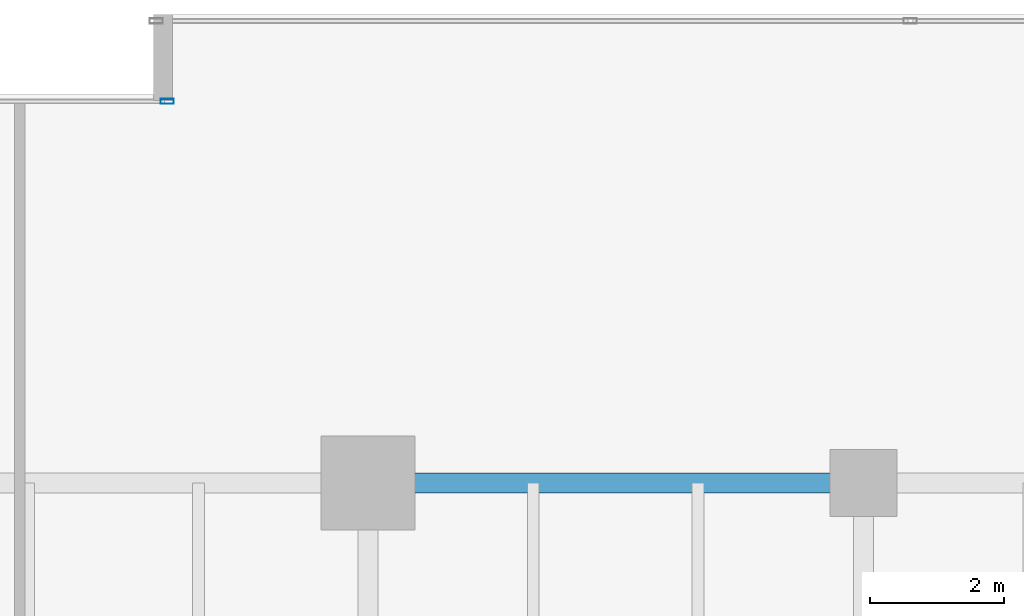
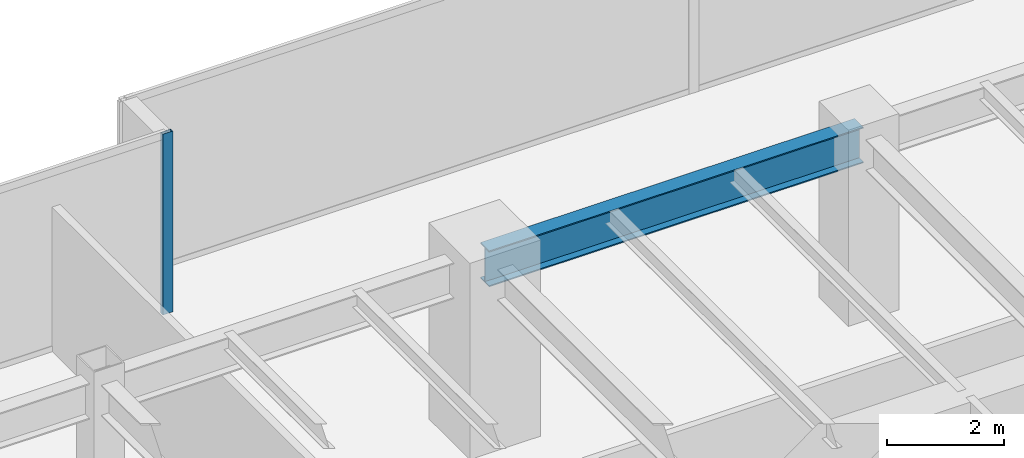
# One storey, part 20 of 35: 1 beam, 1 member, 1 element without a shape of its own.
"""IFC4 building model written with IfcOpenShell, lengths in metres."""

from ifc_helpers import new_model, si_unit, direction, frame, origin, origin_2d, place, context, subcontext, project, spatial, hollow_rectangle, i_section, extrude, source, transform, mapped, material, layer, layer_set, material_profile, profile_set, type_object, type_shapes, element, aggregate, save


model = new_model("IFC4")

# Units and contexts
model_context = context("Model", 3, precision=1e-05, world=origin(), true_north=direction((0.0, 1.0)))
body_context = subcontext(model_context, "Body", "Model", "MODEL_VIEW")
ifc_project = project(units=[si_unit("LENGTHUNIT", "METRE"), si_unit("AREAUNIT", "SQUARE_METRE"), si_unit("VOLUMEUNIT", "CUBIC_METRE"), si_unit("PLANEANGLEUNIT", "RADIAN"), si_unit("MASSUNIT", "GRAM", prefix="KILO")], contexts=[model_context])

# Site, building, storey
site_placement = place(None, origin())
site = spatial("IfcSite", under=ifc_project, at=site_placement, CompositionType="ELEMENT")
building_placement = place(site_placement, origin())
building = spatial("IfcBuilding", under=site, at=building_placement, Name="Haelvirn Gate Laboratories", CompositionType="ELEMENT")
storey_placement = place(building_placement, frame((0.0, 0.0, 86.699951171875)))
storey = spatial("IfcBuildingStorey", under=building, at=storey_placement, Name="L21", CompositionType="ELEMENT", Elevation=86.699951171875)

# Beam
ifc_material_1 = material(Name="Steel SM355", Category="steel")
ifc_material_profile_1 = material_profile(ifc_material_1, i_section(OverallWidth=0.300048828125, OverallDepth=0.75, WebThickness=0.013916015625, FlangeThickness=0.02392578125, at=origin_2d()), Name="H-750x300x14x24")
ifc_profile_set_1 = profile_set([ifc_material_profile_1], Name="Steel SM355")
beam_type = type_object("IfcBeamType", Name="BM-G-750", PredefinedType="BEAM", material=ifc_profile_set_1)
shared_shape_1 = source(origin(), body_context, "Body", "SweptSolid", [
    extrude(i_section(OverallWidth=0.300048828125, OverallDepth=0.75, WebThickness=0.013916015625, FlangeThickness=0.02392578125, at=origin_2d()), origin(), (0.0, 0.0, 1.0), 7.39990234375),
])
type_shapes(beam_type, [shared_shape_1])
beam_placement = place(storey_placement, frame((52.60009765625, 41.60009765625, 3.405029296875), z_axis=(1.0, 0.0, 0.0), x_axis=(0.0, 1.0, 0.0)))
element("IfcBeam", 1, at=beam_placement, inside=storey, type_object=beam_type, Name="L21 Primary Girder Y41.6 (52.6-60.0)", PredefinedType="BEAM", context=body_context, shape_type="MappedRepresentation", body=[
    mapped(shared_shape_1, transform((0.0, 0.0, 0.0), scale=1.0)),
])

# Curtain wall, member
ifc_material_2 = material(Name="Anodised bronze unitised aluminium & triple low-E glass", Category="aluminium")
ifc_layer = layer(ifc_material_2, 0.18408203125, Name="CW-SYS-2")
ifc_layer_set = layer_set([ifc_layer], Name="Anodised bronze unitised aluminium & triple low-E glass")
curtain_wall_type = type_object("IfcCurtainWallType", Name="CW-SYS-2", PredefinedType="NOTDEFINED", material=ifc_layer_set)
curtain_wall_placement = place(storey_placement, origin())
curtain_wall = element("IfcCurtainWall", 2, at=curtain_wall_placement, inside=storey, type_object=curtain_wall_type, Name="L21 Unitised Curtain Wall CW-L21-P0-E12-1", PredefinedType="NOTDEFINED")
ifc_material_3 = material(Name="Extruded aluminium 6063-T6 (anodised bronze)", Category="aluminium")
ifc_material_profile_2 = material_profile(ifc_material_3, hollow_rectangle(XDim=0.074951171875, YDim=0.199951171875, WallThickness=0.0048828125, at=origin_2d()), Name="CWM-200x75x5")
ifc_profile_set_2 = profile_set([ifc_material_profile_2], Name="Extruded aluminium 6063-T6 (anodised bronze)")
member_type = type_object("IfcMemberType", Name="CWM-T200", PredefinedType="MULLION", material=ifc_profile_set_2)
shared_shape_2 = source(origin(), body_context, "Body", "SweptSolid", [
    extrude(hollow_rectangle(XDim=0.074951171875, YDim=0.199951171875, WallThickness=0.0048828125, at=origin_2d()), origin(), (0.0, 0.0, 1.0), 3.780029296875),
])
type_shapes(member_type, [shared_shape_2])
member_placement = place(storey_placement, frame((49.6025390625, 47.300048828125, 0.0), z_axis=(0.0, 0.0, 1.0), x_axis=(0.0, 1.0, 0.0)))
member = element("IfcMember", 3, at=member_placement, type_object=member_type, Name="CW2 mullion 3", PredefinedType="MULLION", context=body_context, shape_type="MappedRepresentation", body=[
    mapped(shared_shape_2, transform((0.0, 0.0, 0.0), scale=1.0)),
])
aggregate(curtain_wall, [member])

save(model, "model.ifc")
